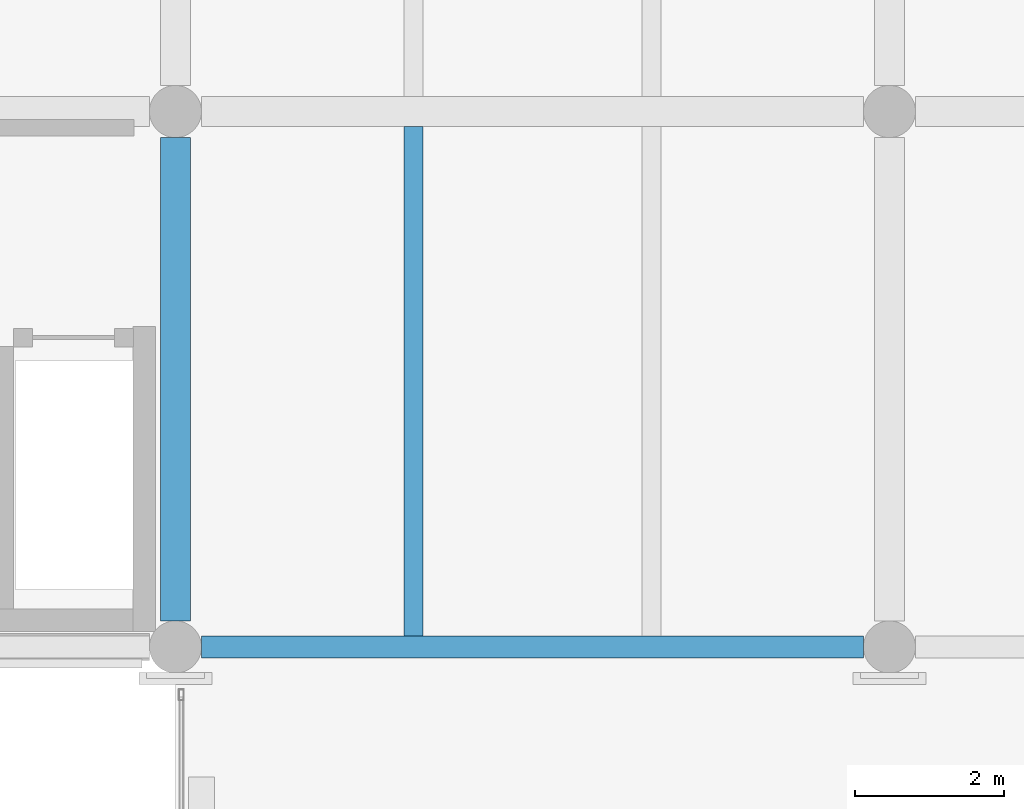
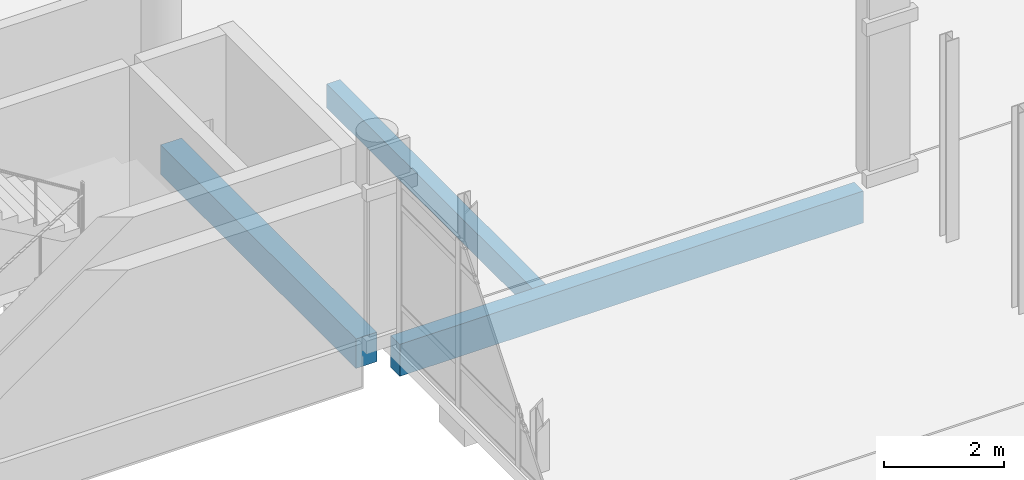
# One storey, part 34 of 180: 3 beams.
"""IFC4 building model written with IfcOpenShell, lengths in metres."""

import ifcopenshell
import ifcopenshell.guid

model = None  # the IFC model being written
_history = None  # IfcOwnerHistory: only IFC2X3 demands one
_inside = {}  # id of a spatial element -> (the spatial element, [elements in it])
_under = {}  # id of a project, library or spatial element -> (it, [spatial elements below it])
_declared = {}  # id of a project -> (the project, [libraries it declares])
_typed = {}  # id of a type object -> (the type object, [elements of that type])
_made_of = {}  # id of a material, layer set ... -> (it, [elements and type objects made of it])


def new_model(schema):
    """Start an empty IFC model of exactly this schema.

    Asked for "IFC4X3", IfcOpenShell would pick the latest addendum, in which some entities
    have other attributes; the version numbers below select the first issue.
    IFC2X3 requires an IfcOwnerHistory on every rooted entity: one is made here for all.
    """
    global model, _history
    if schema == "IFC4X3":
        model = ifcopenshell.file(schema_version=(4, 3, 0, 0))
    else:
        model = ifcopenshell.file(schema=schema)
    _inside.clear()
    _under.clear()
    _declared.clear()
    _typed.clear()
    _made_of.clear()
    _history = None
    if model.schema == "IFC2X3":
        org = make("IfcOrganization", Name="unknown")
        user = make(
            "IfcPersonAndOrganization",
            ThePerson=make("IfcPerson", FamilyName="unknown"),
            TheOrganization=org,
        )
        app = make(
            "IfcApplication",
            ApplicationDeveloper=org,
            Version="unknown",
            ApplicationFullName="unknown",
            ApplicationIdentifier="unknown",
        )
        _history = make(
            "IfcOwnerHistory",
            OwningUser=user,
            OwningApplication=app,
            ChangeAction="ADDED",
            CreationDate=0,
        )
    return model


def make(cls, **values):
    """One entity of the class cls with the attributes given. An attribute that is None is left unset."""
    return model.create_entity(
        cls, **{name: value for name, value in values.items() if value is not None}
    )


def rooted(cls, **values):
    """An entity with a GlobalId (a new one), such as an element, a storey or a relation."""
    return make(cls, GlobalId=ifcopenshell.guid.new(), OwnerHistory=_history, **values)


def si_unit(unit_type, name, prefix=None):
    """IfcSIUnit, for example si_unit("LENGTHUNIT", "METRE", prefix="MILLI")."""
    return make("IfcSIUnit", UnitType=unit_type, Prefix=prefix, Name=name)


def assignment(units):
    """IfcUnitAssignment: the units of a project."""
    return None if units is None else make("IfcUnitAssignment", Units=units)


def point(xyz):
    """IfcCartesianPoint."""
    return None if xyz is None else make("IfcCartesianPoint", Coordinates=xyz)


def direction(xyz):
    """IfcDirection."""
    return None if xyz is None else make("IfcDirection", DirectionRatios=xyz)


def frame(location, z_axis=None, x_axis=None):
    """IfcAxis2Placement3D, a coordinate frame: its origin and axes. An axis left out is left unset."""
    return make(
        "IfcAxis2Placement3D",
        Location=point(location),
        Axis=direction(z_axis),
        RefDirection=direction(x_axis),
    )


def frame_2d(location, x_axis=None):
    """IfcAxis2Placement2D, a coordinate frame in the plane: its origin and x axis."""
    return make(
        "IfcAxis2Placement2D", Location=point(location), RefDirection=direction(x_axis)
    )


def origin():
    """The frame at (0, 0, 0) with its axes left unset."""
    return frame((0.0, 0.0, 0.0))


def origin_2d():
    """The frame at (0, 0) in the plane with its x axis left unset."""
    return frame_2d((0.0, 0.0))


def place(relative_to, where):
    """IfcLocalPlacement: puts the frame where relative to a parent placement (None: the world)."""
    return make(
        "IfcLocalPlacement", PlacementRelTo=relative_to, RelativePlacement=where
    )


def context(
    kind, dimensions, precision=None, world=None, true_north=None, identifier=None
):
    """IfcGeometricRepresentationContext, for example the 3D "Model" context."""
    return make(
        "IfcGeometricRepresentationContext",
        ContextIdentifier=identifier,
        ContextType=kind,
        CoordinateSpaceDimension=dimensions,
        Precision=precision,
        WorldCoordinateSystem=world,
        TrueNorth=true_north,
    )


def subcontext(parent, identifier, kind, view, scale=None):
    """IfcGeometricRepresentationSubContext, for example "Body" below "Model"."""
    return make(
        "IfcGeometricRepresentationSubContext",
        ContextIdentifier=identifier,
        ContextType=kind,
        ParentContext=parent,
        TargetScale=scale,
        TargetView=view,
    )


def project(units=None, contexts=None):
    """IfcProject with its units and contexts."""
    return rooted(
        "IfcProject",
        Name="project",
        RepresentationContexts=contexts,
        UnitsInContext=assignment(units),
    )


def spatial(cls, under=None, at=None, **own):
    """A site, building, storey or space (cls), placed at a placement, below another one or the project."""
    s = rooted(cls, ObjectPlacement=at, **own)
    if under is not None:
        _under.setdefault(under.id(), (under, []))[1].append(s)
    return s


def profile(cls, at=None, kind="AREA", **sizes):
    """A parametric profile (cls). Its sizes go by their IFC names, for example OverallWidth=200.0."""
    return make(cls, ProfileType=kind, Position=at, **sizes)


def rectangle(**sizes):
    """IfcRectangleProfileDef."""
    return profile("IfcRectangleProfileDef", **sizes)


def extrude(swept, where, along, depth):
    """IfcExtrudedAreaSolid: the profile swept, set in the frame where, extruded along a direction by depth."""
    return make(
        "IfcExtrudedAreaSolid",
        SweptArea=swept,
        Position=where,
        ExtrudedDirection=direction(along),
        Depth=depth,
    )


def shape(context_of_items, identifier, shape_type, items):
    """IfcShapeRepresentation: the items that make up one representation, for example the "Body"."""
    return make(
        "IfcShapeRepresentation",
        ContextOfItems=context_of_items,
        RepresentationIdentifier=identifier,
        RepresentationType=shape_type,
        Items=items,
    )


def material(Name=None, Category=None):
    """IfcMaterial."""
    return make("IfcMaterial", Name=Name, Category=Category)


def material_profile(
    of_material, cross_section, Name=None, Category=None, Priority=None
):
    """IfcMaterialProfile: a cross section and its material."""
    return make(
        "IfcMaterialProfile",
        Name=Name,
        Material=of_material,
        Profile=cross_section,
        Priority=Priority,
        Category=Category,
    )


def profile_set(profiles, Name=None, composite=None):
    """IfcMaterialProfileSet."""
    return make(
        "IfcMaterialProfileSet",
        Name=Name,
        MaterialProfiles=profiles,
        CompositeProfile=composite,
    )


def made_of(thing, what):
    """Note that an element or type object is made of a material, layer set ...; save() writes the relation."""
    if what is not None:
        _made_of.setdefault(what.id(), (what, []))[1].append(thing)
    return thing


def type_object(cls, material=None, **own):
    """A type object (cls), such as IfcWallType, which elements share."""
    return made_of(rooted(cls, **own), material)


def element(
    cls,
    number,
    at=None,
    inside=None,
    cuts=None,
    type_object=None,
    material=None,
    context=None,
    identifier="Body",
    shape_type=None,
    held_by="IfcProductDefinitionShape",
    body=None,
    shapes=None,
    **own,
):
    """One element of the class cls, such as IfcWall. Its Tag is "e" and its number.

    at: its placement. inside: the storey or other place that contains it. cuts: it is an
    opening in that element (IfcRelVoidsElement). A single representation is given by context,
    identifier, shape_type and body (its items); several are given by shapes. held_by: the class
    of the entity that holds the representations. save() writes the other relations.
    """
    e = rooted(cls, Tag="e%d" % number, ObjectPlacement=at, **own)
    if body is not None:
        shapes = [shape(context, identifier, shape_type, body)]
    if shapes is not None:
        e.Representation = make(held_by, Representations=shapes)
    if inside is not None:
        _inside.setdefault(inside.id(), (inside, []))[1].append(e)
    if cuts is not None:
        rooted(
            "IfcRelVoidsElement", RelatingBuildingElement=cuts, RelatedOpeningElement=e
        )
    if type_object is not None:
        _typed.setdefault(type_object.id(), (type_object, []))[1].append(e)
    return made_of(e, material)


def aggregate(whole, parts):
    """IfcRelAggregates: a whole, such as a stair, and the parts it consists of."""
    return rooted("IfcRelAggregates", RelatingObject=whole, RelatedObjects=parts)


def save(model, path):
    """Write the relations noted so far, then the file.

    IfcRelAggregates (storeys below a building ...), IfcRelContainedInSpatialStructure (elements
    in a storey), IfcRelDefinesByType, IfcRelAssociatesMaterial and IfcRelDeclares: one each for
    every whole, place, type object, material and project.
    """
    for whole, parts in _under.values():
        aggregate(whole, parts)
    for where, things in _inside.values():
        rooted(
            "IfcRelContainedInSpatialStructure",
            RelatedElements=things,
            RelatingStructure=where,
        )
    for kind, things in _typed.values():
        rooted("IfcRelDefinesByType", RelatedObjects=things, RelatingType=kind)
    for what, things in _made_of.values():
        rooted("IfcRelAssociatesMaterial", RelatedObjects=things, RelatingMaterial=what)
    for by, libraries in _declared.values():
        rooted("IfcRelDeclares", RelatingContext=by, RelatedDefinitions=libraries)
    model.write(path)


model = new_model("IFC4")

# Units and contexts
model_context = context("Model", 3, precision=1e-05, world=origin(), true_north=direction((0.0, 1.0)))
body_context = subcontext(model_context, "Body", "Model", "MODEL_VIEW")
ifc_project = project(units=[si_unit("LENGTHUNIT", "METRE"), si_unit("AREAUNIT", "SQUARE_METRE"), si_unit("VOLUMEUNIT", "CUBIC_METRE"), si_unit("PLANEANGLEUNIT", "RADIAN"), si_unit("MASSUNIT", "GRAM", prefix="KILO")], contexts=[model_context])

# Site, building, storey
site_placement = place(None, origin())
site = spatial("IfcSite", under=ifc_project, at=site_placement, CompositionType="ELEMENT")
building_placement = place(site_placement, origin())
building = spatial("IfcBuilding", under=site, at=building_placement, Name="Asteropetra Specialist Clinic", CompositionType="ELEMENT")
storey_placement = place(building_placement, frame((0.0, 0.0, 4.419921875)))
storey = spatial("IfcBuildingStorey", under=building, at=storey_placement, Name="L01", CompositionType="ELEMENT", Elevation=4.419921875)

# Beams
ifc_material_1 = material(Name="Concrete C35/45", Category="concrete")
ifc_material_profile_1 = material_profile(ifc_material_1, rectangle(XDim=0.39990234375, YDim=0.60009765625, at=origin_2d()), Name="RCB 400x600")
ifc_profile_set_1 = profile_set([ifc_material_profile_1], Name="Concrete C35/45")
beam_type_1 = type_object("IfcBeamType", Name="BM-RC400x600", PredefinedType="BEAM", material=ifc_profile_set_1)
beam_1_placement = place(storey_placement, frame((9.60009765625, 33.949951171875, -0.599853515625), z_axis=(0.0, 1.0, 0.0), x_axis=(-1.0, 0.0, 0.0)))
element("IfcBeam", 1, at=beam_1_placement, inside=storey, type_object=beam_type_1, Name="Beam BBM08-0335", PredefinedType="BEAM", context=body_context, shape_type="SweptSolid", body=[
    extrude(rectangle(XDim=0.39990234375, YDim=0.60009765625, at=origin_2d()), origin(), (0.0, 0.0, 1.0), 6.5),
])
ifc_material_2 = material(Name="Concrete C35/45", Category="concrete")
ifc_material_profile_2 = material_profile(ifc_material_2, rectangle(XDim=0.260009765625, YDim=0.47998046875, at=origin_2d()), Name="RCJ 260x480")
ifc_profile_set_2 = profile_set([ifc_material_profile_2], Name="Concrete C35/45")
beam_type_2 = type_object("IfcBeamType", Name="JST-RC260x480", PredefinedType="JOIST", material=ifc_profile_set_2)
beam_2_placement = place(storey_placement, frame((12.800048828125, 33.75, -0.5400390625), z_axis=(0.0, 1.0, 0.0), x_axis=(-1.0, 0.0, 0.0)))
element("IfcBeam", 2, at=beam_2_placement, inside=storey, type_object=beam_type_2, Name="Joist JJST02-0340", PredefinedType="JOIST", context=body_context, shape_type="SweptSolid", body=[
    extrude(rectangle(XDim=0.260009765625, YDim=0.47998046875, at=origin_2d()), origin(), (0.0, 0.0, 1.0), 6.85009765625),
])
ifc_material_3 = material(Name="Concrete C35/45", Category="concrete")
ifc_material_profile_3 = material_profile(ifc_material_3, rectangle(XDim=0.300048828125, YDim=0.64990234375, at=origin_2d()), Name="RCS 300x650")
ifc_profile_set_3 = profile_set([ifc_material_profile_3], Name="Concrete C35/45")
beam_type_3 = type_object("IfcBeamType", Name="SPN-RC300x650", PredefinedType="SPANDREL", material=ifc_profile_set_3)
beam_3_placement = place(storey_placement, frame((9.949951171875, 33.60009765625, -0.625), z_axis=(1.0, 0.0, 0.0), x_axis=(0.0, 1.0, 0.0)))
element("IfcBeam", 3, at=beam_3_placement, inside=storey, type_object=beam_type_3, Name="Beam BSPN03-0310", PredefinedType="SPANDREL", context=body_context, shape_type="SweptSolid", body=[
    extrude(rectangle(XDim=0.300048828125, YDim=0.64990234375, at=origin_2d()), origin(), (0.0, 0.0, 1.0), 8.900146484375),
])

save(model, "model.ifc")
